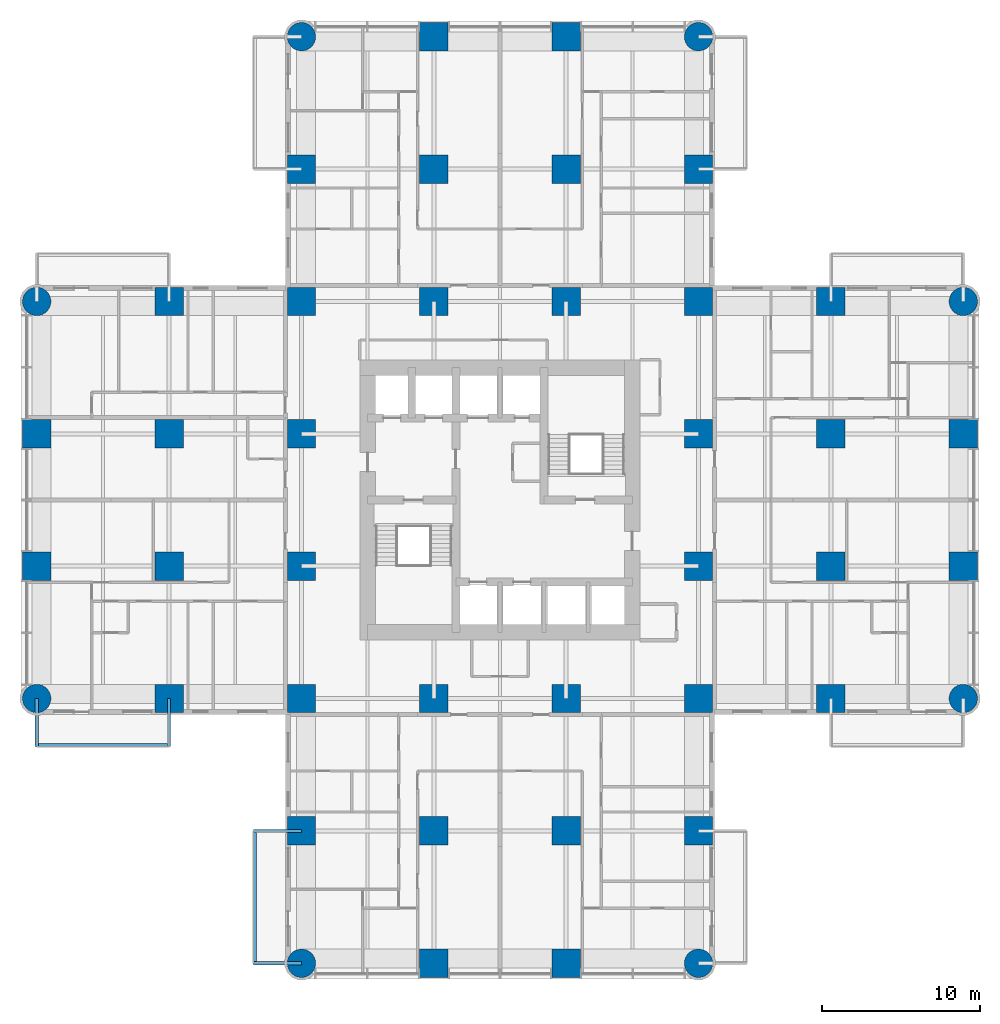
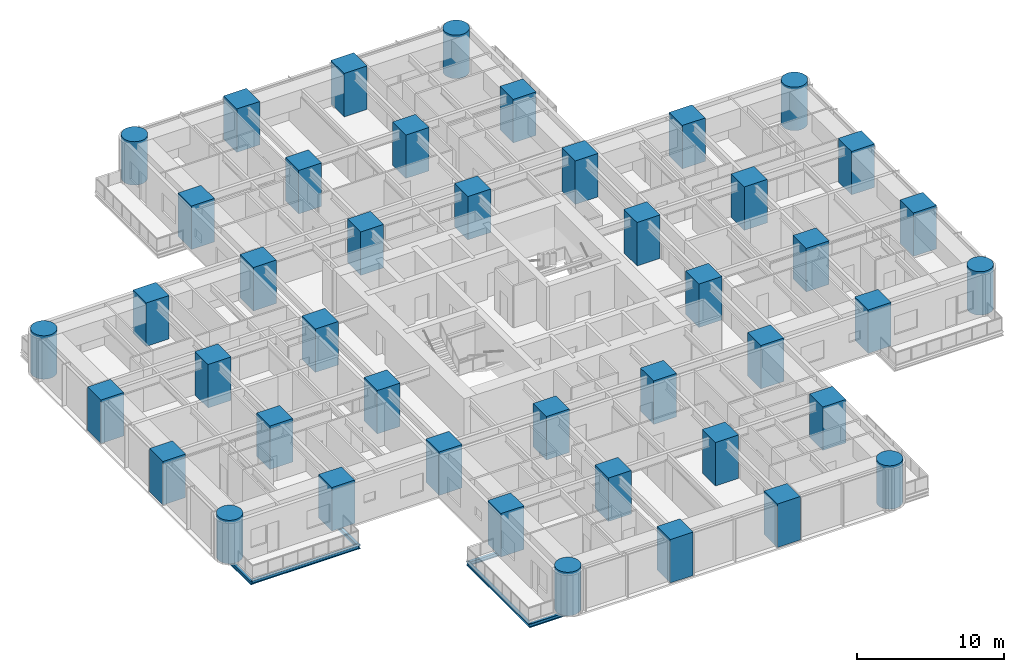
# One storey, part 1 of 17: 44 columns, 6 beams.
"""IFC4 building model written with IfcOpenShell, lengths in metres."""

from ifc_helpers import new_model, si_unit, direction, frame, origin, origin_2d, place, context, subcontext, project, spatial, rectangle, circle, i_section, extrude, material, material_profile, profile_set, type_object, element, save


model = new_model("IFC4")

# Units and contexts
model_context = context("Model", 3, precision=1e-05, world=origin(), true_north=direction((0.0, 1.0)))
body_context = subcontext(model_context, "Body", "Model", "MODEL_VIEW")
ifc_project = project(units=[si_unit("LENGTHUNIT", "METRE"), si_unit("AREAUNIT", "SQUARE_METRE"), si_unit("VOLUMEUNIT", "CUBIC_METRE"), si_unit("PLANEANGLEUNIT", "RADIAN"), si_unit("MASSUNIT", "GRAM", prefix="KILO")], contexts=[model_context])

# Site, building, storey
site_placement = place(None, origin())
site = spatial("IfcSite", under=ifc_project, at=site_placement, CompositionType="ELEMENT")
building_placement = place(site_placement, origin())
building = spatial("IfcBuilding", under=site, at=building_placement, Name="Torre Alcanfor", CompositionType="ELEMENT")
storey_placement = place(building_placement, frame((0.0, 0.0, 45.300048828125)))
storey = spatial("IfcBuildingStorey", under=building, at=storey_placement, Name="L10", CompositionType="ELEMENT", Elevation=45.300048828125)

# Columns
ifc_material_1 = material(Name="Concrete f'c 70 MPa", Category="concrete")
ifc_material_profile_1 = material_profile(ifc_material_1, rectangle(XDim=1.800048828125, YDim=1.800048828125, at=origin_2d()), Name="1800x1800")
ifc_profile_set_1 = profile_set([ifc_material_profile_1], Name="Concrete f'c 70 MPa")
column_type_1 = type_object("IfcColumnType", Name="RC column 1800x1800 f'c70", PredefinedType="COLUMN", material=ifc_profile_set_1)
for number, where, z_axis, x_axis, name in (
    (1, (0.0, 25.199951171875, 0.0), (0.0, 0.0, 1.0), (1.0, 0.0, 0.0), "Column 1/F L10"),
    (2, (0.0, 33.60009765625, 0.0), (0.0, 0.0, 1.0), (1.0, 0.0, 0.0), "Column 1/G L10"),
    (3, (8.39990234375, 16.800048828125, 0.0), (0.0, 0.0, 1.0), (1.0, 0.0, 0.0), "Column 2/E L10"),
    (4, (8.39990234375, 25.199951171875, 0.0), (0.0, 0.0, 1.0), (1.0, 0.0, 0.0), "Column 2/F L10"),
    (5, (8.39990234375, 33.60009765625, 0.0), (0.0, 0.0, 1.0), (1.0, 0.0, 0.0), "Column 2/G L10"),
    (6, (8.39990234375, 42.0, 0.0), (0.0, 0.0, 1.0), (1.0, 0.0, 0.0), "Column 2/H L10"),
    (7, (16.800048828125, 8.39990234375, 0.0), (0.0, 0.0, 1.0), (1.0, 0.0, 0.0), "Column 3/D L10"),
    (8, (16.800048828125, 16.800048828125, 0.0), (0.0, 0.0, 1.0), (1.0, 0.0, 0.0), "Column 3/E L10"),
    (9, (16.800048828125, 25.199951171875, 0.0), (0.0, 0.0, 1.0), (1.0, 0.0, 0.0), "Column 3/F L10"),
    (10, (16.800048828125, 33.60009765625, 0.0), (0.0, 0.0, 1.0), (1.0, 0.0, 0.0), "Column 3/G L10"),
    (11, (16.800048828125, 42.0, 0.0), (0.0, 0.0, 1.0), (1.0, 0.0, 0.0), "Column 3/H L10"),
    (12, (16.800048828125, 50.39990234375, 0.0), (0.0, 0.0, 1.0), (1.0, 0.0, 0.0), "Column 3/J L10"),
    (13, (25.199951171875, 0.0, 0.0), (0.0, 0.0, 1.0), (1.0, 0.0, 0.0), "Column 4/C L10"),
    (14, (25.199951171875, 8.39990234375, 0.0), (0.0, 0.0, 1.0), (1.0, 0.0, 0.0), "Column 4/D L10"),
    (15, (25.199951171875, 16.800048828125, 0.0), (0.0, 0.0, 1.0), (1.0, 0.0, 0.0), "Column 4/E L10"),
    (16, (25.199951171875, 42.0, 0.0), (0.0, 0.0, 1.0), (1.0, 0.0, 0.0), "Column 4/H L10"),
    (17, (25.199951171875, 50.39990234375, 0.0), (0.0, 0.0, 1.0), (1.0, 0.0, 0.0), "Column 4/J L10"),
    (18, (25.199951171875, 58.800048828125, 0.0), (0.0, 0.0, 1.0), (1.0, 0.0, 0.0), "Column 4/K L10"),
    (19, (33.60009765625, 0.0, 0.0), (0.0, 0.0, 1.0), (1.0, 0.0, 0.0), "Column 5/C L10"),
    (20, (33.60009765625, 8.39990234375, 0.0), (0.0, 0.0, 1.0), (1.0, 0.0, 0.0), "Column 5/D L10"),
    (21, (33.60009765625, 16.800048828125, 0.0), (0.0, 0.0, 1.0), (1.0, 0.0, 0.0), "Column 5/E L10"),
    (22, (33.60009765625, 42.0, 0.0), (0.0, 0.0, 1.0), (1.0, 0.0, 0.0), "Column 5/H L10"),
    (23, (33.60009765625, 50.39990234375, 0.0), (0.0, 0.0, 1.0), (1.0, 0.0, 0.0), "Column 5/J L10"),
    (24, (33.60009765625, 58.800048828125, 0.0), (0.0, 0.0, 1.0), (1.0, 0.0, 0.0), "Column 5/K L10"),
    (25, (42.0, 8.39990234375, 0.0), (0.0, 0.0, 1.0), (1.0, 0.0, 0.0), "Column 6/D L10"),
    (26, (42.0, 16.800048828125, 0.0), (0.0, 0.0, 1.0), (1.0, 0.0, 0.0), "Column 6/E L10"),
    (27, (42.0, 25.199951171875, 0.0), (0.0, 0.0, 1.0), (1.0, 0.0, 0.0), "Column 6/F L10"),
    (28, (42.0, 33.60009765625, 0.0), (0.0, 0.0, 1.0), (1.0, 0.0, 0.0), "Column 6/G L10"),
    (29, (42.0, 42.0, 0.0), (0.0, 0.0, 1.0), (1.0, 0.0, 0.0), "Column 6/H L10"),
    (30, (42.0, 50.39990234375, 0.0), (0.0, 0.0, 1.0), (1.0, 0.0, 0.0), "Column 6/J L10"),
    (31, (50.39990234375, 16.800048828125, 0.0), (0.0, 0.0, 1.0), (1.0, 0.0, 0.0), "Column 7/E L10"),
    (32, (50.39990234375, 25.199951171875, 0.0), (0.0, 0.0, 1.0), (1.0, 0.0, 0.0), "Column 7/F L10"),
    (33, (50.39990234375, 33.60009765625, 0.0), (0.0, 0.0, 1.0), (1.0, 0.0, 0.0), "Column 7/G L10"),
    (34, (50.39990234375, 42.0, 0.0), (0.0, 0.0, 1.0), (1.0, 0.0, 0.0), "Column 7/H L10"),
    (35, (58.800048828125, 25.199951171875, 0.0), (0.0, 0.0, 1.0), (1.0, 0.0, 0.0), "Column 8/F L10"),
    (36, (58.800048828125, 33.60009765625, 0.0), (0.0, 0.0, 1.0), (1.0, 0.0, 0.0), "Column 8/G L10"),
):
    element("IfcColumn", number, at=place(storey_placement, frame(where, z_axis=z_axis, x_axis=x_axis)), inside=storey, type_object=column_type_1, Name=name, PredefinedType="COLUMN", context=body_context, shape_type="SweptSolid", body=[
        extrude(rectangle(XDim=1.800048828125, YDim=1.800048828125, at=origin_2d()), origin(), (0.0, 0.0, 1.0), 3.599853515625),
    ])
ifc_material_2 = material(Name="Concrete f'c 70 MPa", Category="concrete")
ifc_material_profile_2 = material_profile(ifc_material_2, circle(Radius=0.89990234375, at=origin_2d()), Name="D1800")
ifc_profile_set_2 = profile_set([ifc_material_profile_2], Name="Concrete f'c 70 MPa")
column_type_2 = type_object("IfcColumnType", Name="RC column D1800 f'c70", PredefinedType="COLUMN", material=ifc_profile_set_2)
for number, where, z_axis, x_axis, name in (
    (37, (0.0, 16.800048828125, 0.0), (0.0, 0.0, 1.0), (1.0, 0.0, 0.0), "Column 1/E L10"),
    (38, (0.0, 42.0, 0.0), (0.0, 0.0, 1.0), (1.0, 0.0, 0.0), "Column 1/H L10"),
    (39, (16.800048828125, 0.0, 0.0), (0.0, 0.0, 1.0), (1.0, 0.0, 0.0), "Column 3/C L10"),
    (40, (16.800048828125, 58.800048828125, 0.0), (0.0, 0.0, 1.0), (1.0, 0.0, 0.0), "Column 3/K L10"),
    (41, (42.0, 0.0, 0.0), (0.0, 0.0, 1.0), (1.0, 0.0, 0.0), "Column 6/C L10"),
    (42, (42.0, 58.800048828125, 0.0), (0.0, 0.0, 1.0), (1.0, 0.0, 0.0), "Column 6/K L10"),
    (43, (58.800048828125, 16.800048828125, 0.0), (0.0, 0.0, 1.0), (1.0, 0.0, 0.0), "Column 8/E L10"),
    (44, (58.800048828125, 42.0, 0.0), (0.0, 0.0, 1.0), (1.0, 0.0, 0.0), "Column 8/H L10"),
):
    element("IfcColumn", number, at=place(storey_placement, frame(where, z_axis=z_axis, x_axis=x_axis)), inside=storey, type_object=column_type_2, Name=name, PredefinedType="COLUMN", context=body_context, shape_type="SweptSolid", body=[
        extrude(circle(Radius=0.89990234375, at=origin_2d()), origin(), (0.0, 0.0, 1.0), 3.599853515625),
    ])

# Beams
ifc_material_3 = material(Name="Steel ASTM A992 Grade 50", Category="steel")
ifc_material_profile_3 = material_profile(ifc_material_3, i_section(OverallWidth=0.205322265625, OverallDepth=0.309814453125, WebThickness=0.00927734375, FlangeThickness=0.016357421875, at=origin_2d()), Name="W12x50")
ifc_profile_set_3 = profile_set([ifc_material_profile_3], Name="Steel ASTM A992 Grade 50")
beam_type_1 = type_object("IfcBeamType", Name="Balcony cantilever beam W12x50", PredefinedType="BEAM", material=ifc_profile_set_3)
for number, where, z_axis, x_axis, name in (
    (45, (16.800048828125, 8.39990234375, -0.35498046875), (-1.0, 0.0, 0.0), (0.0, -1.0, 0.0), "Balcony cantilever beam L10-S2 1"),
    (46, (16.800048828125, 0.0, -0.35498046875), (-1.0, 0.0, 0.0), (0.0, -1.0, 0.0), "Balcony cantilever beam L10-S2 2"),
    (47, (8.39990234375, 16.800048828125, -0.35498046875), (0.0, -1.0, 0.0), (1.0, 0.0, 0.0), "Balcony cantilever beam L10-W1 1"),
    (48, (0.0, 16.800048828125, -0.35498046875), (0.0, -1.0, 0.0), (1.0, 0.0, 0.0), "Balcony cantilever beam L10-W1 2"),
):
    element("IfcBeam", number, at=place(storey_placement, frame(where, z_axis=z_axis, x_axis=x_axis)), inside=storey, type_object=beam_type_1, Name=name, PredefinedType="BEAM", context=body_context, shape_type="SweptSolid", body=[
        extrude(i_section(OverallWidth=0.205322265625, OverallDepth=0.309814453125, WebThickness=0.00927734375, FlangeThickness=0.016357421875, at=origin_2d()), origin(), (0.0, 0.0, 1.0), 3.050048828125),
    ])
ifc_material_4 = material(Name="Steel ASTM A992 Grade 50", Category="steel")
ifc_material_profile_4 = material_profile(ifc_material_4, i_section(OverallWidth=0.203369140625, OverallDepth=0.30224609375, WebThickness=0.007568359375, FlangeThickness=0.01318359375, at=origin_2d()), Name="W12x40")
ifc_profile_set_4 = profile_set([ifc_material_profile_4], Name="Steel ASTM A992 Grade 50")
beam_type_2 = type_object("IfcBeamType", Name="Balcony edge trimmer W12x40", PredefinedType="BEAM", material=ifc_profile_set_4)
for number, where, z_axis, x_axis, name in (
    (49, (13.851806640625, 8.39990234375, -0.35107421875), (0.0, -1.0, 0.0), (1.0, 0.0, 0.0), "Balcony edge trimmer L10-S2"),
    (50, (8.39990234375, 13.851806640625, -0.35107421875), (-1.0, 0.0, 0.0), (0.0, -1.0, 0.0), "Balcony edge trimmer L10-W1"),
):
    element("IfcBeam", number, at=place(storey_placement, frame(where, z_axis=z_axis, x_axis=x_axis)), inside=storey, type_object=beam_type_2, Name=name, PredefinedType="BEAM", context=body_context, shape_type="SweptSolid", body=[
        extrude(i_section(OverallWidth=0.203369140625, OverallDepth=0.30224609375, WebThickness=0.007568359375, FlangeThickness=0.01318359375, at=origin_2d()), origin(), (0.0, 0.0, 1.0), 8.39990234375),
    ])

save(model, "model.ifc")
